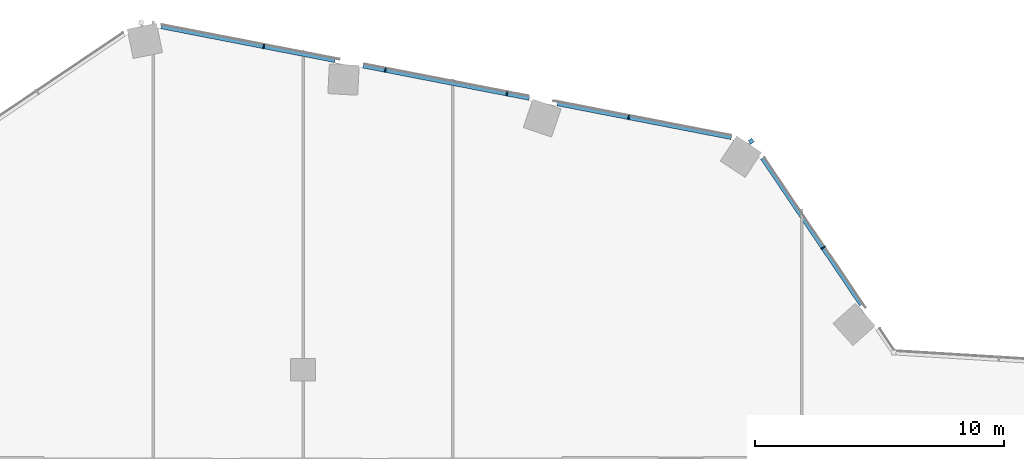
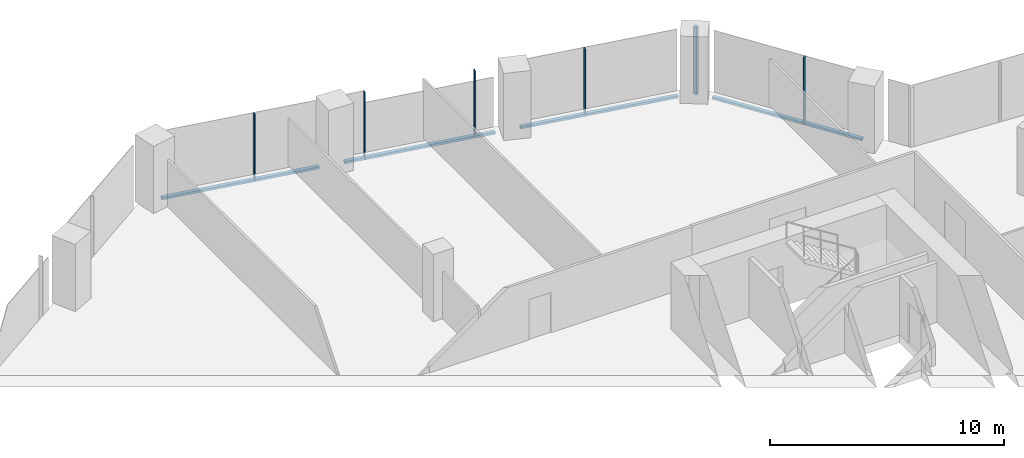
# One storey, part 12 of 25: 10 members, 2 elements without a shape of their own.
"""IFC4 building model written with IfcOpenShell, lengths in metres."""

from ifc_helpers import new_model, si_unit, direction, frame, origin, origin_2d, place, context, subcontext, project, spatial, rectangle, extrude, material, material_profile, profile_set, type_object, element, aggregate, save


model = new_model("IFC4")

# Units and contexts
model_context = context("Model", 3, precision=1e-05, world=origin(), true_north=direction((0.0, 1.0)))
body_context = subcontext(model_context, "Body", "Model", "MODEL_VIEW")
ifc_project = project(units=[si_unit("LENGTHUNIT", "METRE"), si_unit("AREAUNIT", "SQUARE_METRE"), si_unit("VOLUMEUNIT", "CUBIC_METRE"), si_unit("PLANEANGLEUNIT", "RADIAN"), si_unit("MASSUNIT", "GRAM", prefix="KILO")], contexts=[model_context])

# Site, building, storey
site_placement = place(None, origin())
site = spatial("IfcSite", under=ifc_project, at=site_placement, CompositionType="ELEMENT")
building_placement = place(site_placement, origin())
building = spatial("IfcBuilding", under=site, at=building_placement, Name="Orlundy Tower", CompositionType="ELEMENT")
storey_placement = place(building_placement, frame((0.0, 0.0, 159.60009765625)))
storey = spatial("IfcBuildingStorey", under=building, at=storey_placement, Name="L41", CompositionType="ELEMENT", Elevation=159.60009765625)

# Curtain wall, member
ifc_material_1 = material(Name="Aluminium bronze anodised", Category="aluminium")
curtain_wall_type = type_object("IfcCurtainWallType", Name="CW1 wall", PredefinedType="NOTDEFINED", material=ifc_material_1)
curtain_wall_1_placement = place(storey_placement, origin())
curtain_wall_1 = element("IfcCurtainWall", 1, at=curtain_wall_1_placement, inside=storey, type_object=curtain_wall_type, Name="CW1 run 05", PredefinedType="NOTDEFINED")
ifc_material_2 = material(Name="Aluminium bronze anodised", Category="aluminium")
ifc_material_profile_1 = material_profile(ifc_material_2, rectangle(XDim=0.179931640625, YDim=0.179931640625, at=origin_2d()), Name="CW1 corner post 180x180")
ifc_profile_set_1 = profile_set([ifc_material_profile_1], Name="Aluminium bronze anodised")
member_type_1 = type_object("IfcMemberType", Name="CW1 corner post 180x180", PredefinedType="MULLION", material=ifc_profile_set_1)
member_1_placement = place(storey_placement, frame((17.975830078125, 27.1591796875, -0.400146484375), z_axis=(0.0, 0.0, 1.0), x_axis=(0.829017365471, 0.559222860538, 0.0)))
member_1 = element("IfcMember", 2, at=member_1_placement, type_object=member_type_1, Name="CW1 mullion 24", PredefinedType="MULLION", context=body_context, shape_type="SweptSolid", body=[
    extrude(rectangle(XDim=0.179931640625, YDim=0.179931640625, at=origin_2d()), origin(), (0.0, 0.0, 1.0), 3.5),
])

# Curtain wall, members
curtain_wall_2_placement = place(storey_placement, origin())
curtain_wall_2 = element("IfcCurtainWall", 3, at=curtain_wall_2_placement, inside=storey, type_object=curtain_wall_type, Name="CW1 run 04", PredefinedType="NOTDEFINED")
ifc_material_3 = material(Name="Aluminium bronze anodised", Category="aluminium")
ifc_material_profile_2 = material_profile(ifc_material_3, rectangle(XDim=0.179931640625, YDim=0.050048828125, at=origin_2d()), Name="CW1 mullion 50x180")
ifc_profile_set_2 = profile_set([ifc_material_profile_2], Name="Aluminium bronze anodised")
member_type_2 = type_object("IfcMemberType", Name="CW1 mullion 50x180", PredefinedType="MULLION", material=ifc_profile_set_2)
member_2_placement = place(storey_placement, frame((-1.57763671875, 30.9599609375, -0.400146484375), z_axis=(0.0, 0.0, 1.0), x_axis=(0.19080503976, 0.981627952333, 0.0)))
member_2 = element("IfcMember", 4, at=member_2_placement, type_object=member_type_2, Name="CW1 mullion 20", PredefinedType="MULLION", context=body_context, shape_type="SweptSolid", body=[
    extrude(rectangle(XDim=0.179931640625, YDim=0.050048828125, at=origin_2d()), origin(), (0.0, 0.0, 1.0), 3.5),
])
member_3_placement = place(storey_placement, frame((3.301513671875, 30.011474609375, -0.400146484375), z_axis=(0.0, 0.0, 1.0), x_axis=(0.19080503976, 0.981627952333, 0.0)))
member_3 = element("IfcMember", 5, at=member_3_placement, type_object=member_type_2, Name="CW1 mullion 21", PredefinedType="MULLION", context=body_context, shape_type="SweptSolid", body=[
    extrude(rectangle(XDim=0.179931640625, YDim=0.050048828125, at=origin_2d()), origin(), (0.0, 0.0, 1.0), 3.5),
])
member_4_placement = place(storey_placement, frame((8.1806640625, 29.063232421875, -0.400146484375), z_axis=(0.0, 0.0, 1.0), x_axis=(0.19080503976, 0.981627952333, 0.0)))
member_4 = element("IfcMember", 6, at=member_4_placement, type_object=member_type_2, Name="CW1 mullion 22", PredefinedType="MULLION", context=body_context, shape_type="SweptSolid", body=[
    extrude(rectangle(XDim=0.179931640625, YDim=0.050048828125, at=origin_2d()), origin(), (0.0, 0.0, 1.0), 3.5),
])
member_5_placement = place(storey_placement, frame((13.06005859375, 28.11474609375, -0.400146484375), z_axis=(0.0, 0.0, 1.0), x_axis=(0.19080503976, 0.981627952333, 0.0)))
member_5 = element("IfcMember", 7, at=member_5_placement, type_object=member_type_2, Name="CW1 mullion 23", PredefinedType="MULLION", context=body_context, shape_type="SweptSolid", body=[
    extrude(rectangle(XDim=0.179931640625, YDim=0.050048828125, at=origin_2d()), origin(), (0.0, 0.0, 1.0), 3.5),
])

# Member
member_6_placement = place(storey_placement, frame((20.859130859375, 22.884765625, -0.400146484375), z_axis=(0.0, 0.0, 1.0), x_axis=(0.829017365471, 0.559222860538, 0.0)))
member_6 = element("IfcMember", 8, at=member_6_placement, type_object=member_type_2, Name="CW1 mullion 25", PredefinedType="MULLION", context=body_context, shape_type="SweptSolid", body=[
    extrude(rectangle(XDim=0.179931640625, YDim=0.050048828125, at=origin_2d()), origin(), (0.0, 0.0, 1.0), 3.5),
])

ifc_material_4 = material(Name="Aluminium bronze anodised", Category="aluminium")
ifc_material_profile_3 = material_profile(ifc_material_4, rectangle(XDim=0.179931640625, YDim=0.1201171875, at=origin_2d()), Name="CW1 transom 180x120")
ifc_profile_set_3 = profile_set([ifc_material_profile_3], Name="Aluminium bronze anodised")
member_type_3 = type_object("IfcMemberType", Name="CW1 transom 180x120", PredefinedType="USERDEFINED", material=ifc_profile_set_3)
member_7_placement = place(storey_placement, frame((-5.696044921875, 31.760498046875, -0.340087890625), z_axis=(0.981625574839, -0.190817270766, 0.0), x_axis=(0.190817270766, 0.981625574839, 0.0)))
member_7 = element("IfcMember", 9, at=member_7_placement, type_object=member_type_3, Name="CW1 transom", ObjectType="TRANSOM", PredefinedType="USERDEFINED", context=body_context, shape_type="SweptSolid", body=[
    extrude(rectangle(XDim=0.179931640625, YDim=0.1201171875, at=origin_2d()), origin(), (0.0, 0.0, 1.0), 7.10986328125),
])

member_8_placement = place(storey_placement, frame((2.406494140625, 30.185546875, -0.340087890625), z_axis=(0.981629038684, -0.190799450764, 0.0), x_axis=(0.190799450764, 0.981629038684, 0.0)))
member_8 = element("IfcMember", 10, at=member_8_placement, type_object=member_type_3, Name="CW1 transom", ObjectType="TRANSOM", PredefinedType="USERDEFINED", context=body_context, shape_type="SweptSolid", body=[
    extrude(rectangle(XDim=0.179931640625, YDim=0.1201171875, at=origin_2d()), origin(), (0.0, 0.0, 1.0), 6.79443359375),
])

member_9_placement = place(storey_placement, frame((10.19921875, 28.6708984375, -0.340087890625), z_axis=(0.981624144272, -0.190824629914, 0.0), x_axis=(0.190824629914, 0.981624144272, 0.0)))
member_9 = element("IfcMember", 11, at=member_9_placement, type_object=member_type_3, Name="CW1 transom", ObjectType="TRANSOM", PredefinedType="USERDEFINED", context=body_context, shape_type="SweptSolid", body=[
    extrude(rectangle(XDim=0.179931640625, YDim=0.1201171875, at=origin_2d()), origin(), (0.0, 0.0, 1.0), 7.11083984375),
])

aggregate(curtain_wall_2, [member_2, member_3, member_4, member_5, member_7, member_8, member_9])

member_10_placement = place(storey_placement, frame((18.43017578125, 26.485595703125, -0.340087890625), z_axis=(0.559228465587, -0.829013584495, 0.0), x_axis=(0.829013584495, 0.559228465587, 0.0)))
member_10 = element("IfcMember", 12, at=member_10_placement, type_object=member_type_3, Name="CW1 transom", ObjectType="TRANSOM", PredefinedType="USERDEFINED", context=body_context, shape_type="SweptSolid", body=[
    extrude(rectangle(XDim=0.179931640625, YDim=0.1201171875, at=origin_2d()), origin(), (0.0, 0.0, 1.0), 7.103759765625),
])

aggregate(curtain_wall_1, [member_1, member_6, member_10])

save(model, "model.ifc")
